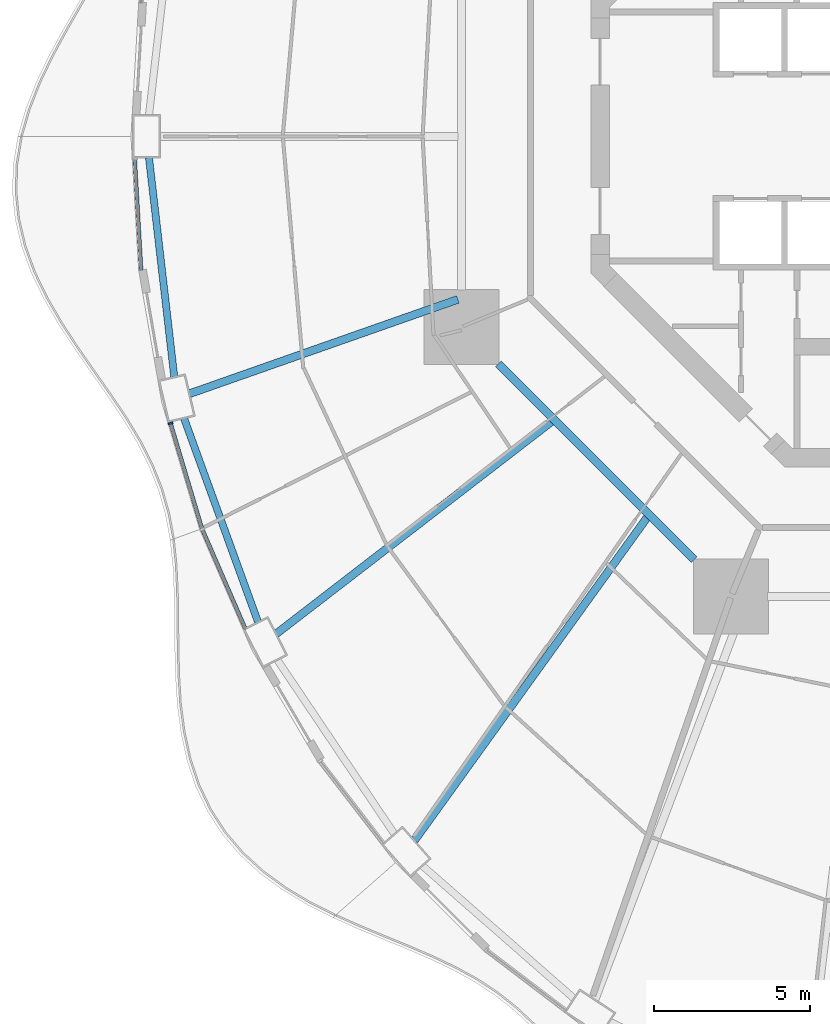
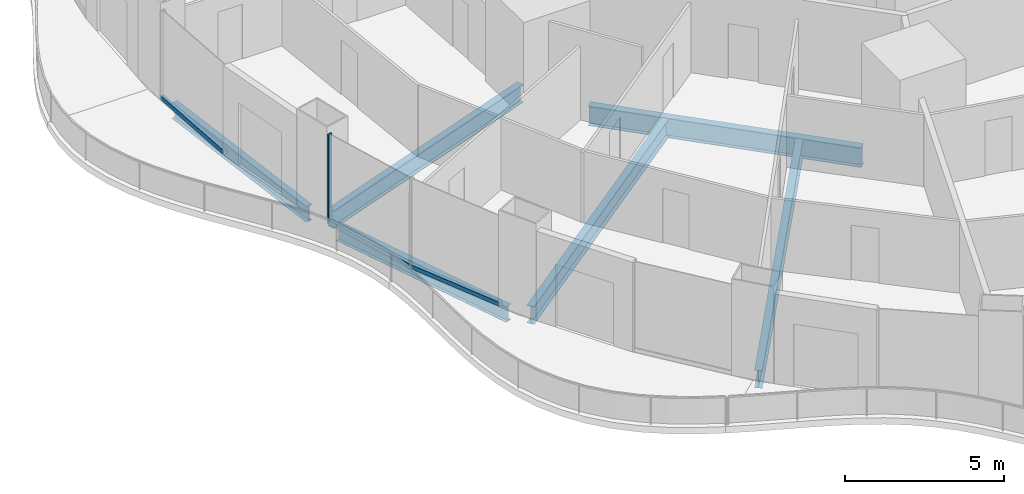
# One storey, part 3 of 22: 6 beams, 4 members, 3 elements without a shape of their own.
"""IFC4 building model written with IfcOpenShell, lengths in metres."""

import ifcopenshell
import ifcopenshell.guid

model = None  # the IFC model being written
_history = None  # IfcOwnerHistory: only IFC2X3 demands one
_inside = {}  # id of a spatial element -> (the spatial element, [elements in it])
_under = {}  # id of a project, library or spatial element -> (it, [spatial elements below it])
_declared = {}  # id of a project -> (the project, [libraries it declares])
_typed = {}  # id of a type object -> (the type object, [elements of that type])
_made_of = {}  # id of a material, layer set ... -> (it, [elements and type objects made of it])


def new_model(schema):
    """Start an empty IFC model of exactly this schema.

    Asked for "IFC4X3", IfcOpenShell would pick the latest addendum, in which some entities
    have other attributes; the version numbers below select the first issue.
    IFC2X3 requires an IfcOwnerHistory on every rooted entity: one is made here for all.
    """
    global model, _history
    if schema == "IFC4X3":
        model = ifcopenshell.file(schema_version=(4, 3, 0, 0))
    else:
        model = ifcopenshell.file(schema=schema)
    _inside.clear()
    _under.clear()
    _declared.clear()
    _typed.clear()
    _made_of.clear()
    _history = None
    if model.schema == "IFC2X3":
        org = make("IfcOrganization", Name="unknown")
        user = make(
            "IfcPersonAndOrganization",
            ThePerson=make("IfcPerson", FamilyName="unknown"),
            TheOrganization=org,
        )
        app = make(
            "IfcApplication",
            ApplicationDeveloper=org,
            Version="unknown",
            ApplicationFullName="unknown",
            ApplicationIdentifier="unknown",
        )
        _history = make(
            "IfcOwnerHistory",
            OwningUser=user,
            OwningApplication=app,
            ChangeAction="ADDED",
            CreationDate=0,
        )
    return model


def make(cls, **values):
    """One entity of the class cls with the attributes given. An attribute that is None is left unset."""
    return model.create_entity(
        cls, **{name: value for name, value in values.items() if value is not None}
    )


def rooted(cls, **values):
    """An entity with a GlobalId (a new one), such as an element, a storey or a relation."""
    return make(cls, GlobalId=ifcopenshell.guid.new(), OwnerHistory=_history, **values)


def si_unit(unit_type, name, prefix=None):
    """IfcSIUnit, for example si_unit("LENGTHUNIT", "METRE", prefix="MILLI")."""
    return make("IfcSIUnit", UnitType=unit_type, Prefix=prefix, Name=name)


def assignment(units):
    """IfcUnitAssignment: the units of a project."""
    return None if units is None else make("IfcUnitAssignment", Units=units)


def point(xyz):
    """IfcCartesianPoint."""
    return None if xyz is None else make("IfcCartesianPoint", Coordinates=xyz)


def direction(xyz):
    """IfcDirection."""
    return None if xyz is None else make("IfcDirection", DirectionRatios=xyz)


def frame(location, z_axis=None, x_axis=None):
    """IfcAxis2Placement3D, a coordinate frame: its origin and axes. An axis left out is left unset."""
    return make(
        "IfcAxis2Placement3D",
        Location=point(location),
        Axis=direction(z_axis),
        RefDirection=direction(x_axis),
    )


def frame_2d(location, x_axis=None):
    """IfcAxis2Placement2D, a coordinate frame in the plane: its origin and x axis."""
    return make(
        "IfcAxis2Placement2D", Location=point(location), RefDirection=direction(x_axis)
    )


def origin():
    """The frame at (0, 0, 0) with its axes left unset."""
    return frame((0.0, 0.0, 0.0))


def origin_2d():
    """The frame at (0, 0) in the plane with its x axis left unset."""
    return frame_2d((0.0, 0.0))


def place(relative_to, where):
    """IfcLocalPlacement: puts the frame where relative to a parent placement (None: the world)."""
    return make(
        "IfcLocalPlacement", PlacementRelTo=relative_to, RelativePlacement=where
    )


def context(
    kind, dimensions, precision=None, world=None, true_north=None, identifier=None
):
    """IfcGeometricRepresentationContext, for example the 3D "Model" context."""
    return make(
        "IfcGeometricRepresentationContext",
        ContextIdentifier=identifier,
        ContextType=kind,
        CoordinateSpaceDimension=dimensions,
        Precision=precision,
        WorldCoordinateSystem=world,
        TrueNorth=true_north,
    )


def subcontext(parent, identifier, kind, view, scale=None):
    """IfcGeometricRepresentationSubContext, for example "Body" below "Model"."""
    return make(
        "IfcGeometricRepresentationSubContext",
        ContextIdentifier=identifier,
        ContextType=kind,
        ParentContext=parent,
        TargetScale=scale,
        TargetView=view,
    )


def project(units=None, contexts=None):
    """IfcProject with its units and contexts."""
    return rooted(
        "IfcProject",
        Name="project",
        RepresentationContexts=contexts,
        UnitsInContext=assignment(units),
    )


def spatial(cls, under=None, at=None, **own):
    """A site, building, storey or space (cls), placed at a placement, below another one or the project."""
    s = rooted(cls, ObjectPlacement=at, **own)
    if under is not None:
        _under.setdefault(under.id(), (under, []))[1].append(s)
    return s


def profile(cls, at=None, kind="AREA", **sizes):
    """A parametric profile (cls). Its sizes go by their IFC names, for example OverallWidth=200.0."""
    return make(cls, ProfileType=kind, Position=at, **sizes)


def rectangle(**sizes):
    """IfcRectangleProfileDef."""
    return profile("IfcRectangleProfileDef", **sizes)


def i_section(**sizes):
    """IfcIShapeProfileDef."""
    return profile("IfcIShapeProfileDef", **sizes)


def extrude(swept, where, along, depth):
    """IfcExtrudedAreaSolid: the profile swept, set in the frame where, extruded along a direction by depth."""
    return make(
        "IfcExtrudedAreaSolid",
        SweptArea=swept,
        Position=where,
        ExtrudedDirection=direction(along),
        Depth=depth,
    )


def shape(context_of_items, identifier, shape_type, items):
    """IfcShapeRepresentation: the items that make up one representation, for example the "Body"."""
    return make(
        "IfcShapeRepresentation",
        ContextOfItems=context_of_items,
        RepresentationIdentifier=identifier,
        RepresentationType=shape_type,
        Items=items,
    )


def material(Name=None, Category=None):
    """IfcMaterial."""
    return make("IfcMaterial", Name=Name, Category=Category)


def layer(
    of_material, thickness, ventilated=None, Name=None, Category=None, Priority=None
):
    """IfcMaterialLayer: one layer of a wall or slab, of a material (None: an air gap)."""
    return make(
        "IfcMaterialLayer",
        Material=of_material,
        LayerThickness=thickness,
        IsVentilated=ventilated,
        Name=Name,
        Category=Category,
        Priority=Priority,
    )


def layer_set(layers, Name=None):
    """IfcMaterialLayerSet."""
    return make("IfcMaterialLayerSet", MaterialLayers=layers, LayerSetName=Name)


def material_profile(
    of_material, cross_section, Name=None, Category=None, Priority=None
):
    """IfcMaterialProfile: a cross section and its material."""
    return make(
        "IfcMaterialProfile",
        Name=Name,
        Material=of_material,
        Profile=cross_section,
        Priority=Priority,
        Category=Category,
    )


def profile_set(profiles, Name=None, composite=None):
    """IfcMaterialProfileSet."""
    return make(
        "IfcMaterialProfileSet",
        Name=Name,
        MaterialProfiles=profiles,
        CompositeProfile=composite,
    )


def made_of(thing, what):
    """Note that an element or type object is made of a material, layer set ...; save() writes the relation."""
    if what is not None:
        _made_of.setdefault(what.id(), (what, []))[1].append(thing)
    return thing


def type_object(cls, material=None, **own):
    """A type object (cls), such as IfcWallType, which elements share."""
    return made_of(rooted(cls, **own), material)


def element(
    cls,
    number,
    at=None,
    inside=None,
    cuts=None,
    type_object=None,
    material=None,
    context=None,
    identifier="Body",
    shape_type=None,
    held_by="IfcProductDefinitionShape",
    body=None,
    shapes=None,
    **own,
):
    """One element of the class cls, such as IfcWall. Its Tag is "e" and its number.

    at: its placement. inside: the storey or other place that contains it. cuts: it is an
    opening in that element (IfcRelVoidsElement). A single representation is given by context,
    identifier, shape_type and body (its items); several are given by shapes. held_by: the class
    of the entity that holds the representations. save() writes the other relations.
    """
    e = rooted(cls, Tag="e%d" % number, ObjectPlacement=at, **own)
    if body is not None:
        shapes = [shape(context, identifier, shape_type, body)]
    if shapes is not None:
        e.Representation = make(held_by, Representations=shapes)
    if inside is not None:
        _inside.setdefault(inside.id(), (inside, []))[1].append(e)
    if cuts is not None:
        rooted(
            "IfcRelVoidsElement", RelatingBuildingElement=cuts, RelatedOpeningElement=e
        )
    if type_object is not None:
        _typed.setdefault(type_object.id(), (type_object, []))[1].append(e)
    return made_of(e, material)


def aggregate(whole, parts):
    """IfcRelAggregates: a whole, such as a stair, and the parts it consists of."""
    return rooted("IfcRelAggregates", RelatingObject=whole, RelatedObjects=parts)


def save(model, path):
    """Write the relations noted so far, then the file.

    IfcRelAggregates (storeys below a building ...), IfcRelContainedInSpatialStructure (elements
    in a storey), IfcRelDefinesByType, IfcRelAssociatesMaterial and IfcRelDeclares: one each for
    every whole, place, type object, material and project.
    """
    for whole, parts in _under.values():
        aggregate(whole, parts)
    for where, things in _inside.values():
        rooted(
            "IfcRelContainedInSpatialStructure",
            RelatedElements=things,
            RelatingStructure=where,
        )
    for kind, things in _typed.values():
        rooted("IfcRelDefinesByType", RelatedObjects=things, RelatingType=kind)
    for what, things in _made_of.values():
        rooted("IfcRelAssociatesMaterial", RelatedObjects=things, RelatingMaterial=what)
    for by, libraries in _declared.values():
        rooted("IfcRelDeclares", RelatingContext=by, RelatedDefinitions=libraries)
    model.write(path)


model = new_model("IFC4")

# Units and contexts
model_context = context("Model", 3, precision=1e-05, world=origin(), true_north=direction((0.0, 1.0)))
body_context = subcontext(model_context, "Body", "Model", "MODEL_VIEW")
ifc_project = project(units=[si_unit("LENGTHUNIT", "METRE"), si_unit("AREAUNIT", "SQUARE_METRE"), si_unit("VOLUMEUNIT", "CUBIC_METRE"), si_unit("PLANEANGLEUNIT", "RADIAN"), si_unit("MASSUNIT", "GRAM", prefix="KILO")], contexts=[model_context])

# Site, building, storey
site_placement = place(None, origin())
site = spatial("IfcSite", under=ifc_project, at=site_placement, CompositionType="ELEMENT")
building_placement = place(site_placement, origin())
building = spatial("IfcBuilding", under=site, at=building_placement, Name="Nagisa Residences", CompositionType="ELEMENT")
storey_placement = place(building_placement, frame((0.0, 0.0, 30.699951171875)))
storey = spatial("IfcBuildingStorey", under=building, at=storey_placement, Name="L06", CompositionType="ELEMENT", Elevation=30.699951171875)

# Curtain wall, member
ifc_material_1 = material(Name="Concrete-coloured aluminium curtain wall system", Category="concrete")
ifc_layer = layer(ifc_material_1, 0.159912109375)
ifc_layer_set = layer_set([ifc_layer], Name="CW1 CURTAIN WALL")
curtain_wall_type = type_object("IfcCurtainWallType", Name="CW1 CURTAIN WALL", PredefinedType="NOTDEFINED", material=ifc_layer_set)
curtain_wall_1_placement = place(storey_placement, origin())
curtain_wall_1 = element("IfcCurtainWall", 1, at=curtain_wall_1_placement, inside=storey, type_object=curtain_wall_type, Name="cw:CW1:L06:26", PredefinedType="NOTDEFINED")
ifc_material_2 = material(Name="Concrete-coloured aluminium", Category="concrete")
ifc_material_profile_1 = material_profile(ifc_material_2, rectangle(XDim=0.159912109375, YDim=0.06005859375, at=origin_2d()), Name="CW1 MULLION 160x60")
ifc_profile_set_1 = profile_set([ifc_material_profile_1], Name="Concrete-coloured aluminium")
member_type_1 = type_object("IfcMemberType", Name="CW1 MULLION 160x60", PredefinedType="MULLION", material=ifc_profile_set_1)
member_1_placement = place(storey_placement, frame((-24.12646484375, -9.2177734375, 0.0), z_axis=(0.0, 0.0, 1.0), x_axis=(0.958271310082, 0.285860274038, 0.0)))
member_1 = element("IfcMember", 2, at=member_1_placement, type_object=member_type_1, Name="CW1 mullion", PredefinedType="MULLION", context=body_context, shape_type="SweptSolid", body=[
    extrude(rectangle(XDim=0.159912109375, YDim=0.06005859375, at=origin_2d()), origin(), (0.0, 0.0, 1.0), 3.43994140625),
])

curtain_wall_2_placement = place(storey_placement, origin())
curtain_wall_2 = element("IfcCurtainWall", 3, at=curtain_wall_2_placement, inside=storey, type_object=curtain_wall_type, Name="cw:CW1:L06:24", PredefinedType="NOTDEFINED")
ifc_material_3 = material(Name="Concrete-coloured aluminium", Category="concrete")
ifc_material_profile_2 = material_profile(ifc_material_3, rectangle(XDim=0.1201171875, YDim=0.14990234375, at=origin_2d()), Name="CW1 TRANSOM 120x150")
ifc_profile_set_2 = profile_set([ifc_material_profile_2], Name="Concrete-coloured aluminium")
member_type_2 = type_object("IfcMemberType", Name="CW1 TRANSOM 120x150", PredefinedType="USERDEFINED", material=ifc_profile_set_2)
member_2_placement = place(storey_placement, frame((-25.27978515625, -0.6943359375, 0.074951171875), z_axis=(0.057482603412, -0.998346508135, 0.0), x_axis=(0.998346508135, 0.057482603412, 0.0)))
member_2 = element("IfcMember", 4, at=member_2_placement, type_object=member_type_2, Name="CW1 transom", ObjectType="TRANSOM", PredefinedType="USERDEFINED", context=body_context, shape_type="SweptSolid", body=[
    extrude(rectangle(XDim=0.1201171875, YDim=0.14990234375, at=origin_2d()), origin(), (0.0, 0.0, 1.0), 3.6142578125),
])
aggregate(curtain_wall_2, [member_2])

# Member
member_3_placement = place(storey_placement, frame((-24.135009765625, -9.18896484375, 0.074951171875), z_axis=(0.285808431121, -0.958286773727, 0.0), x_axis=(0.958286773727, 0.285808431121, 0.0)))
member_3 = element("IfcMember", 5, at=member_3_placement, type_object=member_type_2, Name="CW1 transom", ObjectType="TRANSOM", PredefinedType="USERDEFINED", context=body_context, shape_type="SweptSolid", body=[
    extrude(rectangle(XDim=0.1201171875, YDim=0.14990234375, at=origin_2d()), origin(), (0.0, 0.0, 1.0), 3.5654296875),
])

aggregate(curtain_wall_1, [member_1, member_3])

# Curtain wall, member
curtain_wall_3_placement = place(storey_placement, origin())
curtain_wall_3 = element("IfcCurtainWall", 6, at=curtain_wall_3_placement, inside=storey, type_object=curtain_wall_type, Name="cw:CW1:L06:27", PredefinedType="NOTDEFINED")
member_4_placement = place(storey_placement, frame((-23.119140625, -12.5966796875, 0.074951171875), z_axis=(0.397624958345, -0.917548032803, 0.0), x_axis=(0.917548032803, 0.397624958345, 0.0)))
member_4 = element("IfcMember", 7, at=member_4_placement, type_object=member_type_2, Name="CW1 transom", ObjectType="TRANSOM", PredefinedType="USERDEFINED", context=body_context, shape_type="SweptSolid", body=[
    extrude(rectangle(XDim=0.1201171875, YDim=0.14990234375, at=origin_2d()), origin(), (0.0, 0.0, 1.0), 3.51953125),
])
aggregate(curtain_wall_3, [member_4])

# Beams
ifc_material_4 = material(Name="Steel ASTM A572 Gr 50", Category="steel")
ifc_material_profile_3 = material_profile(ifc_material_4, i_section(OverallWidth=0.264892578125, OverallDepth=0.7529296875, WebThickness=0.01318359375, FlangeThickness=0.01708984375, at=origin_2d()), Name="W760x147")
ifc_profile_set_3 = profile_set([ifc_material_profile_3], Name="Steel ASTM A572 Gr 50")
beam_type_1 = type_object("IfcBeamType", Name="Inner ring beam W760x147", PredefinedType="BEAM", material=ifc_profile_set_3)
beam_1_placement = place(storey_placement, frame((-13.59619140625, -7.308837890625, -0.636474609375), z_axis=(0.707106781187, -0.707106781187, 0.0), x_axis=(0.707106781187, 0.707106781187, 0.0)))
element("IfcBeam", 8, at=beam_1_placement, inside=storey, type_object=beam_type_1, Name="beam:L06:ib5", PredefinedType="BEAM", context=body_context, shape_type="SweptSolid", body=[
    extrude(i_section(OverallWidth=0.264892578125, OverallDepth=0.7529296875, WebThickness=0.01318359375, FlangeThickness=0.01708984375, at=origin_2d()), origin(), (0.0, 0.0, 1.0), 8.8916015625),
])
ifc_material_5 = material(Name="Steel ASTM A572 Gr 50", Category="steel")
ifc_material_profile_4 = material_profile(ifc_material_5, i_section(OverallWidth=0.22802734375, OverallDepth=0.60302734375, WebThickness=0.010498046875, FlangeThickness=0.014892578125, at=origin_2d()), Name="W610x101")
ifc_profile_set_4 = profile_set([ifc_material_profile_4], Name="Steel ASTM A572 Gr 50")
beam_type_2 = type_object("IfcBeamType", Name="Perimeter ring beam W610x101", PredefinedType="BEAM", material=ifc_profile_set_4)
beam_2_placement = place(storey_placement, frame((-24.821533203125, -0.68017578125, -0.5615234375), z_axis=(0.114707660057, -0.993399291687, 0.0), x_axis=(0.993399291687, 0.114707660057, 0.0)))
element("IfcBeam", 9, at=beam_2_placement, inside=storey, type_object=beam_type_2, Name="beam:L06:pb13", PredefinedType="BEAM", context=body_context, shape_type="SweptSolid", body=[
    extrude(i_section(OverallWidth=0.22802734375, OverallDepth=0.60302734375, WebThickness=0.010498046875, FlangeThickness=0.014892578125, at=origin_2d()), origin(), (0.0, 0.0, 1.0), 7.09814453125),
])
beam_3_placement = place(storey_placement, frame((-23.695068359375, -9.055419921875, -0.5615234375), z_axis=(0.341411143183, -0.939914055279, 0.0), x_axis=(0.939914055279, 0.341411143183, 0.0)))
element("IfcBeam", 10, at=beam_3_placement, inside=storey, type_object=beam_type_2, Name="beam:L06:pb14", PredefinedType="BEAM", context=body_context, shape_type="SweptSolid", body=[
    extrude(i_section(OverallWidth=0.22802734375, OverallDepth=0.60302734375, WebThickness=0.010498046875, FlangeThickness=0.014892578125, at=origin_2d()), origin(), (0.0, 0.0, 1.0), 6.96923828125),
])
ifc_material_6 = material(Name="Steel ASTM A572 Gr 50", Category="steel")
ifc_material_profile_5 = material_profile(ifc_material_6, i_section(OverallWidth=0.25390625, OverallDepth=0.68408203125, WebThickness=0.012451171875, FlangeThickness=0.018798828125, at=origin_2d()), Name="W690x140")
ifc_profile_set_5 = profile_set([ifc_material_profile_5], Name="Steel ASTM A572 Gr 50")
beam_type_3 = type_object("IfcBeamType", Name="Radial beam W690x140", PredefinedType="BEAM", material=ifc_profile_set_5)
beam_4_placement = place(storey_placement, frame((-23.520751953125, -8.26806640625, -0.60205078125), z_axis=(0.943414535235, 0.331615763659, 0.0), x_axis=(-0.331615763659, 0.943414535235, 0.0)))
element("IfcBeam", 11, at=beam_4_placement, inside=storey, type_object=beam_type_3, Name="beam:L06:rb14", PredefinedType="BEAM", context=body_context, shape_type="SweptSolid", body=[
    extrude(i_section(OverallWidth=0.25390625, OverallDepth=0.68408203125, WebThickness=0.012451171875, FlangeThickness=0.018798828125, at=origin_2d()), origin(), (0.0, 0.0, 1.0), 9.142333984375),
])
beam_5_placement = place(storey_placement, frame((-20.73486328125, -15.982666015625, -0.60205078125), z_axis=(0.792016146736, 0.610500141941, 0.0), x_axis=(-0.610500141941, 0.792016146736, 0.0)))
element("IfcBeam", 12, at=beam_5_placement, inside=storey, type_object=beam_type_3, Name="beam:L06:rb15", PredefinedType="BEAM", context=body_context, shape_type="SweptSolid", body=[
    extrude(i_section(OverallWidth=0.25390625, OverallDepth=0.68408203125, WebThickness=0.012451171875, FlangeThickness=0.018798828125, at=origin_2d()), origin(), (0.0, 0.0, 1.0), 11.160888671875),
])
beam_6_placement = place(storey_placement, frame((-16.29443359375, -22.62255859375, -0.60205078125), z_axis=(0.58445507622, 0.811426068031, 0.0), x_axis=(-0.811426068031, 0.58445507622, 0.0)))
element("IfcBeam", 13, at=beam_6_placement, inside=storey, type_object=beam_type_3, Name="beam:L06:rb16", PredefinedType="BEAM", context=body_context, shape_type="SweptSolid", body=[
    extrude(i_section(OverallWidth=0.25390625, OverallDepth=0.68408203125, WebThickness=0.012451171875, FlangeThickness=0.018798828125, at=origin_2d()), origin(), (0.0, 0.0, 1.0), 12.78955078125),
])

save(model, "model.ifc")
